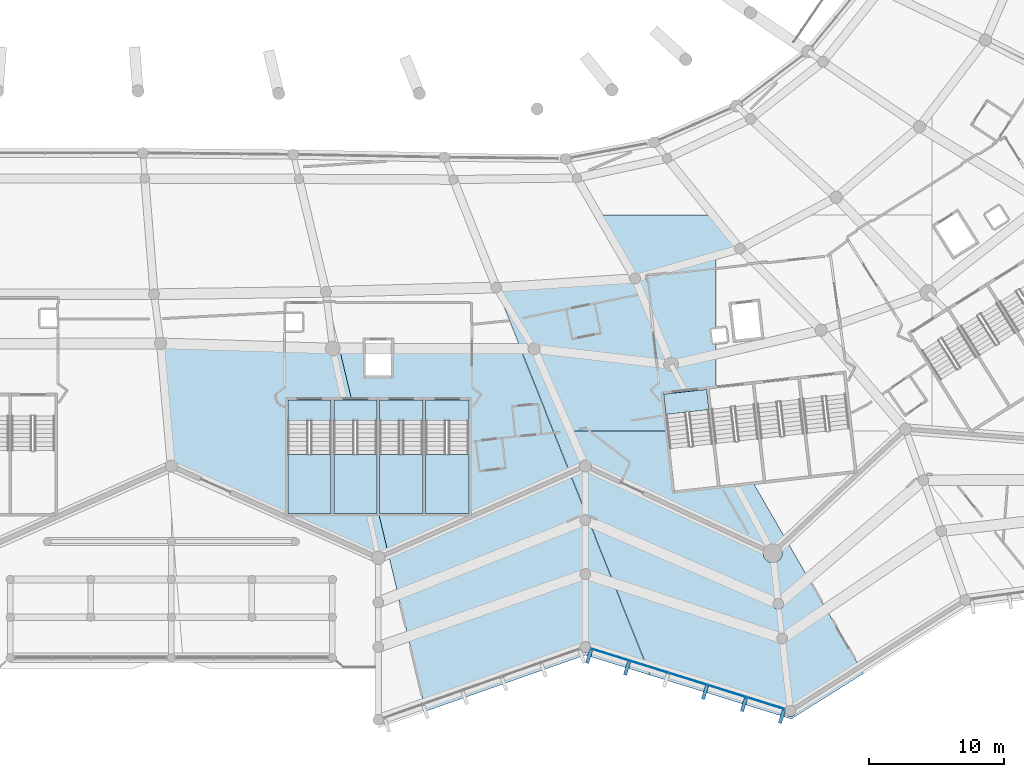
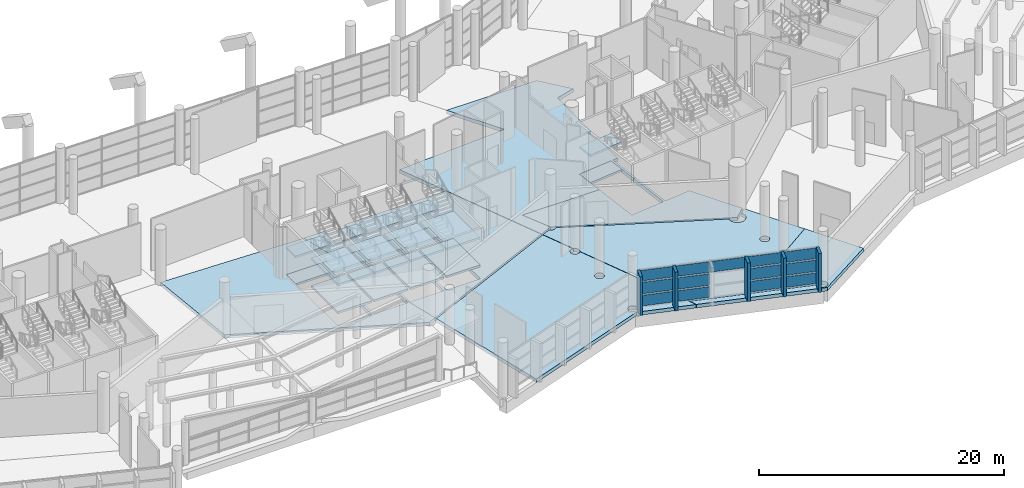
# One storey, part 126 of 271: 25 slabs, 18 plates, 6 elements without a shape of their own.
"""IFC4 building model written with IfcOpenShell, lengths in metres."""

import ifcopenshell
import ifcopenshell.guid

model = None  # the IFC model being written
_history = None  # IfcOwnerHistory: only IFC2X3 demands one
_inside = {}  # id of a spatial element -> (the spatial element, [elements in it])
_under = {}  # id of a project, library or spatial element -> (it, [spatial elements below it])
_declared = {}  # id of a project -> (the project, [libraries it declares])
_typed = {}  # id of a type object -> (the type object, [elements of that type])
_made_of = {}  # id of a material, layer set ... -> (it, [elements and type objects made of it])


def new_model(schema):
    """Start an empty IFC model of exactly this schema.

    Asked for "IFC4X3", IfcOpenShell would pick the latest addendum, in which some entities
    have other attributes; the version numbers below select the first issue.
    IFC2X3 requires an IfcOwnerHistory on every rooted entity: one is made here for all.
    """
    global model, _history
    if schema == "IFC4X3":
        model = ifcopenshell.file(schema_version=(4, 3, 0, 0))
    else:
        model = ifcopenshell.file(schema=schema)
    _inside.clear()
    _under.clear()
    _declared.clear()
    _typed.clear()
    _made_of.clear()
    _history = None
    if model.schema == "IFC2X3":
        org = make("IfcOrganization", Name="unknown")
        user = make(
            "IfcPersonAndOrganization",
            ThePerson=make("IfcPerson", FamilyName="unknown"),
            TheOrganization=org,
        )
        app = make(
            "IfcApplication",
            ApplicationDeveloper=org,
            Version="unknown",
            ApplicationFullName="unknown",
            ApplicationIdentifier="unknown",
        )
        _history = make(
            "IfcOwnerHistory",
            OwningUser=user,
            OwningApplication=app,
            ChangeAction="ADDED",
            CreationDate=0,
        )
    return model


def make(cls, **values):
    """One entity of the class cls with the attributes given. An attribute that is None is left unset."""
    return model.create_entity(
        cls, **{name: value for name, value in values.items() if value is not None}
    )


def rooted(cls, **values):
    """An entity with a GlobalId (a new one), such as an element, a storey or a relation."""
    return make(cls, GlobalId=ifcopenshell.guid.new(), OwnerHistory=_history, **values)


def si_unit(unit_type, name, prefix=None):
    """IfcSIUnit, for example si_unit("LENGTHUNIT", "METRE", prefix="MILLI")."""
    return make("IfcSIUnit", UnitType=unit_type, Prefix=prefix, Name=name)


def assignment(units):
    """IfcUnitAssignment: the units of a project."""
    return None if units is None else make("IfcUnitAssignment", Units=units)


def point(xyz):
    """IfcCartesianPoint."""
    return None if xyz is None else make("IfcCartesianPoint", Coordinates=xyz)


def direction(xyz):
    """IfcDirection."""
    return None if xyz is None else make("IfcDirection", DirectionRatios=xyz)


def frame(location, z_axis=None, x_axis=None):
    """IfcAxis2Placement3D, a coordinate frame: its origin and axes. An axis left out is left unset."""
    return make(
        "IfcAxis2Placement3D",
        Location=point(location),
        Axis=direction(z_axis),
        RefDirection=direction(x_axis),
    )


def frame_2d(location, x_axis=None):
    """IfcAxis2Placement2D, a coordinate frame in the plane: its origin and x axis."""
    return make(
        "IfcAxis2Placement2D", Location=point(location), RefDirection=direction(x_axis)
    )


def origin():
    """The frame at (0, 0, 0) with its axes left unset."""
    return frame((0.0, 0.0, 0.0))


def origin_2d():
    """The frame at (0, 0) in the plane with its x axis left unset."""
    return frame_2d((0.0, 0.0))


def place(relative_to, where):
    """IfcLocalPlacement: puts the frame where relative to a parent placement (None: the world)."""
    return make(
        "IfcLocalPlacement", PlacementRelTo=relative_to, RelativePlacement=where
    )


def context(
    kind, dimensions, precision=None, world=None, true_north=None, identifier=None
):
    """IfcGeometricRepresentationContext, for example the 3D "Model" context."""
    return make(
        "IfcGeometricRepresentationContext",
        ContextIdentifier=identifier,
        ContextType=kind,
        CoordinateSpaceDimension=dimensions,
        Precision=precision,
        WorldCoordinateSystem=world,
        TrueNorth=true_north,
    )


def subcontext(parent, identifier, kind, view, scale=None):
    """IfcGeometricRepresentationSubContext, for example "Body" below "Model"."""
    return make(
        "IfcGeometricRepresentationSubContext",
        ContextIdentifier=identifier,
        ContextType=kind,
        ParentContext=parent,
        TargetScale=scale,
        TargetView=view,
    )


def project(units=None, contexts=None):
    """IfcProject with its units and contexts."""
    return rooted(
        "IfcProject",
        Name="project",
        RepresentationContexts=contexts,
        UnitsInContext=assignment(units),
    )


def spatial(cls, under=None, at=None, **own):
    """A site, building, storey or space (cls), placed at a placement, below another one or the project."""
    s = rooted(cls, ObjectPlacement=at, **own)
    if under is not None:
        _under.setdefault(under.id(), (under, []))[1].append(s)
    return s


def polyline(points):
    """IfcPolyline through the points."""
    return make("IfcPolyline", Points=[point(p) for p in points])


def profile(cls, at=None, kind="AREA", **sizes):
    """A parametric profile (cls). Its sizes go by their IFC names, for example OverallWidth=200.0."""
    return make(cls, ProfileType=kind, Position=at, **sizes)


def rectangle(**sizes):
    """IfcRectangleProfileDef."""
    return profile("IfcRectangleProfileDef", **sizes)


def outline(outer, holes=None, kind="AREA"):
    """IfcArbitraryClosedProfileDef: a profile drawn as a closed curve; with holes, ...WithVoids."""
    if holes is None:
        return make("IfcArbitraryClosedProfileDef", ProfileType=kind, OuterCurve=outer)
    return make(
        "IfcArbitraryProfileDefWithVoids",
        ProfileType=kind,
        OuterCurve=outer,
        InnerCurves=holes,
    )


def extrude(swept, where, along, depth):
    """IfcExtrudedAreaSolid: the profile swept, set in the frame where, extruded along a direction by depth."""
    return make(
        "IfcExtrudedAreaSolid",
        SweptArea=swept,
        Position=where,
        ExtrudedDirection=direction(along),
        Depth=depth,
    )


def shape(context_of_items, identifier, shape_type, items):
    """IfcShapeRepresentation: the items that make up one representation, for example the "Body"."""
    return make(
        "IfcShapeRepresentation",
        ContextOfItems=context_of_items,
        RepresentationIdentifier=identifier,
        RepresentationType=shape_type,
        Items=items,
    )


def material(Name=None, Category=None):
    """IfcMaterial."""
    return make("IfcMaterial", Name=Name, Category=Category)


def layer(
    of_material, thickness, ventilated=None, Name=None, Category=None, Priority=None
):
    """IfcMaterialLayer: one layer of a wall or slab, of a material (None: an air gap)."""
    return make(
        "IfcMaterialLayer",
        Material=of_material,
        LayerThickness=thickness,
        IsVentilated=ventilated,
        Name=Name,
        Category=Category,
        Priority=Priority,
    )


def layer_set(layers, Name=None):
    """IfcMaterialLayerSet."""
    return make("IfcMaterialLayerSet", MaterialLayers=layers, LayerSetName=Name)


def made_of(thing, what):
    """Note that an element or type object is made of a material, layer set ...; save() writes the relation."""
    if what is not None:
        _made_of.setdefault(what.id(), (what, []))[1].append(thing)
    return thing


def type_object(cls, material=None, **own):
    """A type object (cls), such as IfcWallType, which elements share."""
    return made_of(rooted(cls, **own), material)


def element(
    cls,
    number,
    at=None,
    inside=None,
    cuts=None,
    type_object=None,
    material=None,
    context=None,
    identifier="Body",
    shape_type=None,
    held_by="IfcProductDefinitionShape",
    body=None,
    shapes=None,
    **own,
):
    """One element of the class cls, such as IfcWall. Its Tag is "e" and its number.

    at: its placement. inside: the storey or other place that contains it. cuts: it is an
    opening in that element (IfcRelVoidsElement). A single representation is given by context,
    identifier, shape_type and body (its items); several are given by shapes. held_by: the class
    of the entity that holds the representations. save() writes the other relations.
    """
    e = rooted(cls, Tag="e%d" % number, ObjectPlacement=at, **own)
    if body is not None:
        shapes = [shape(context, identifier, shape_type, body)]
    if shapes is not None:
        e.Representation = make(held_by, Representations=shapes)
    if inside is not None:
        _inside.setdefault(inside.id(), (inside, []))[1].append(e)
    if cuts is not None:
        rooted(
            "IfcRelVoidsElement", RelatingBuildingElement=cuts, RelatedOpeningElement=e
        )
    if type_object is not None:
        _typed.setdefault(type_object.id(), (type_object, []))[1].append(e)
    return made_of(e, material)


def aggregate(whole, parts):
    """IfcRelAggregates: a whole, such as a stair, and the parts it consists of."""
    return rooted("IfcRelAggregates", RelatingObject=whole, RelatedObjects=parts)


def save(model, path):
    """Write the relations noted so far, then the file.

    IfcRelAggregates (storeys below a building ...), IfcRelContainedInSpatialStructure (elements
    in a storey), IfcRelDefinesByType, IfcRelAssociatesMaterial and IfcRelDeclares: one each for
    every whole, place, type object, material and project.
    """
    for whole, parts in _under.values():
        aggregate(whole, parts)
    for where, things in _inside.values():
        rooted(
            "IfcRelContainedInSpatialStructure",
            RelatedElements=things,
            RelatingStructure=where,
        )
    for kind, things in _typed.values():
        rooted("IfcRelDefinesByType", RelatedObjects=things, RelatingType=kind)
    for what, things in _made_of.values():
        rooted("IfcRelAssociatesMaterial", RelatedObjects=things, RelatingMaterial=what)
    for by, libraries in _declared.values():
        rooted("IfcRelDeclares", RelatingContext=by, RelatedDefinitions=libraries)
    model.write(path)


model = new_model("IFC4")

# Units and contexts
model_context = context("Model", 3, precision=1e-05, world=origin(), true_north=direction((0.0, 1.0)))
body_context = subcontext(model_context, "Body", "Model", "MODEL_VIEW")
ifc_project = project(units=[si_unit("LENGTHUNIT", "METRE"), si_unit("AREAUNIT", "SQUARE_METRE"), si_unit("VOLUMEUNIT", "CUBIC_METRE"), si_unit("PLANEANGLEUNIT", "RADIAN"), si_unit("MASSUNIT", "GRAM", prefix="KILO")], contexts=[model_context])

# Site, building, storey
site_placement = place(None, origin())
site = spatial("IfcSite", under=ifc_project, at=site_placement, CompositionType="ELEMENT")
building_placement = place(site_placement, origin())
building = spatial("IfcBuilding", under=site, at=building_placement, Name="Meseta Stadium", CompositionType="ELEMENT")
storey_placement = place(building_placement, frame((0.0, 0.0, 6.5)))
storey = spatial("IfcBuildingStorey", under=building, at=storey_placement, Name="L01", CompositionType="ELEMENT", Elevation=6.5)

# Slabs
ifc_material_1 = material(Name="Concrete C40/50", Category="concrete")
ifc_layer_1 = layer(ifc_material_1, 0.35009765625)
ifc_layer_set_1 = layer_set([ifc_layer_1], Name="Floor slab 350")
slab_type_1 = type_object("IfcSlabType", Name="Floor slab 350", PredefinedType="FLOOR", material=ifc_layer_set_1)
slab_1_placement = place(storey_placement, frame((0.0, 0.0, -0.35009765625)))
element("IfcSlab", 1, at=slab_1_placement, inside=storey, type_object=slab_type_1, Name="Floor slab L01 sector 42 panel 14", PredefinedType="FLOOR", context=body_context, shape_type="SweptSolid", body=[
    extrude(outline(polyline([(19.62744140625, -89.90380859375), (6.87060546875, -89.517822265625), (7.666748046875, -98.60009765625), (23.0, -105.39990234375), (23.732177734375, -105.0751953125), (22.89990234375, -101.580078125), (22.89990234375, -102.10009765625), (19.699951171875, -102.10009765625), (19.699951171875, -93.699951171875), (21.023681640625, -93.699951171875), (20.1201171875, -89.904052734375), (19.62744140625, -89.90380859375)]), holes=[polyline([(16.300048828125, -93.699951171875), (19.5, -93.699951171875), (19.5, -102.10009765625), (16.300048828125, -102.10009765625), (16.300048828125, -93.699951171875)])]), origin(), (0.0, 0.0, 1.0), 0.35009765625),
])
slab_2_placement = place(storey_placement, frame((0.0, 0.0, -0.35009765625)))
element("IfcSlab", 2, at=slab_2_placement, inside=storey, type_object=slab_type_1, Name="Floor slab L01 sector 42 panel 16", PredefinedType="FLOOR", context=body_context, shape_type="SweptSolid", body=[
    extrude(outline(polyline([(23.732177734375, -105.0751953125), (37.177001953125, -99.11279296875), (33.525390625, -89.911376953125), (23.949951171875, -89.906005859375), (23.949951171875, -91.89990234375), (22.050048828125, -91.89990234375), (22.050048828125, -89.905029296875), (20.1201171875, -89.904052734375), (21.023681640625, -93.699951171875), (22.89990234375, -93.699951171875), (22.89990234375, -101.580078125), (23.732177734375, -105.0751953125)]), holes=[polyline([(23.10009765625, -93.699951171875), (26.300048828125, -93.699951171875), (26.300048828125, -102.10009765625), (23.10009765625, -102.10009765625), (23.10009765625, -93.699951171875)]), polyline([(26.5, -93.699951171875), (29.699951171875, -93.699951171875), (29.699951171875, -102.10009765625), (26.5, -102.10009765625), (26.5, -93.699951171875)])]), origin(), (0.0, 0.0, 1.0), 0.35009765625),
])
slab_3_placement = place(storey_placement, frame((0.0, 0.0, -0.35009765625)))
element("IfcSlab", 3, at=slab_3_placement, inside=storey, type_object=slab_type_1, Name="Floor slab L01 sector 49 panel 02", PredefinedType="FLOOR", context=body_context, shape_type="SweptSolid", body=[
    extrude(outline(polyline([(47.7744140625, -80.0), (39.29443359375, -80.0), (42.015380859375, -84.707275390625), (31.747314453125, -85.376220703125), (37.1953125, -99.104736328125), (38.333251953125, -98.60009765625), (37.1953125, -96.0), (44.440673828125, -96.0), (44.13427734375, -93.281005859375), (47.314208984375, -92.9228515625), (47.660888671875, -96.0), (47.862060546875, -96.0), (47.5126953125, -92.900390625), (48.0, -92.845458984375), (48.0, -89.459228515625), (47.781982421875, -89.483642578125), (47.669921875, -88.489990234375), (48.0, -88.452880859375), (48.0, -83.007568359375), (49.791015625, -82.498779296875), (47.7744140625, -80.0)])), origin(), (0.0, 0.0, 1.0), 0.35009765625),
])
slab_4_placement = place(storey_placement, frame((0.0, 0.0, -0.35009765625)))
element("IfcSlab", 4, at=slab_4_placement, inside=storey, type_object=slab_type_1, Name="Floor slab L01 sector 49 panel 04", PredefinedType="FLOOR", context=body_context, shape_type="SweptSolid", body=[
    extrude(outline(polyline([(47.660888671875, -96.0), (48.1201171875, -100.077392578125), (44.9404296875, -100.435791015625), (44.440673828125, -96.0), (37.1953125, -96.0), (38.333251953125, -98.60009765625), (52.202880859375, -105.0517578125), (53.224609375, -104.099365234375), (50.72998046875, -99.783447265625), (48.319091796875, -100.05517578125), (47.862060546875, -96.0), (47.660888671875, -96.0)])), origin(), (0.0, 0.0, 1.0), 0.35009765625),
])
slab_5_placement = place(storey_placement, frame((0.0, 0.0, -0.35009765625)))
element("IfcSlab", 5, at=slab_5_placement, inside=storey, type_object=slab_type_1, Name="Ring floor slab L01 7 part 1 panel 02", PredefinedType="FLOOR", context=body_context, shape_type="SweptSolid", body=[
    extrude(outline(polyline([(38.333251953125, -102.196533203125), (38.404296875, -102.205810546875), (37.232421875, -99.25244140625), (23.767578125, -105.2236328125), (26.514892578125, -116.76220703125), (38.333251953125, -112.60009765625), (43.118408203125, -114.085205078125), (38.655029296875, -102.837890625), (38.61865234375, -102.88525390625), (38.53515625, -102.949462890625), (38.437744140625, -102.98974609375), (38.333251953125, -103.00341796875), (38.22900390625, -102.98974609375), (38.131591796875, -102.949462890625), (38.048095703125, -102.88525390625), (37.98388671875, -102.8017578125), (37.943603515625, -102.704345703125), (37.929931640625, -102.60009765625), (37.943603515625, -102.49560546875), (37.98388671875, -102.398193359375), (38.048095703125, -102.314697265625), (38.131591796875, -102.25048828125), (38.22900390625, -102.210205078125), (38.333251953125, -102.196533203125)]), holes=[polyline([(38.6826171875, -111.79833984375), (38.722900390625, -111.8955078125), (38.73681640625, -112.0), (38.722900390625, -112.1044921875), (38.6826171875, -112.20166015625), (38.61865234375, -112.285400390625), (38.53515625, -112.349365234375), (38.437744140625, -112.3896484375), (38.333251953125, -112.403564453125), (38.22900390625, -112.3896484375), (38.131591796875, -112.349365234375), (38.048095703125, -112.285400390625), (37.98388671875, -112.20166015625), (37.943603515625, -112.1044921875), (37.929931640625, -112.0), (37.943603515625, -111.8955078125), (37.98388671875, -111.79833984375), (38.048095703125, -111.714599609375), (38.131591796875, -111.650634765625), (38.22900390625, -111.6103515625), (38.333251953125, -111.596435546875), (38.437744140625, -111.6103515625), (38.53515625, -111.650634765625), (38.61865234375, -111.714599609375), (38.6826171875, -111.79833984375)]), polyline([(38.53515625, -106.25048828125), (38.61865234375, -106.314697265625), (38.6826171875, -106.398193359375), (38.722900390625, -106.49560546875), (38.73681640625, -106.60009765625), (38.722900390625, -106.704345703125), (38.6826171875, -106.8017578125), (38.61865234375, -106.88525390625), (38.53515625, -106.949462890625), (38.437744140625, -106.98974609375), (38.333251953125, -107.00341796875), (38.22900390625, -106.98974609375), (38.131591796875, -106.949462890625), (38.048095703125, -106.88525390625), (37.98388671875, -106.8017578125), (37.943603515625, -106.704345703125), (37.929931640625, -106.60009765625), (37.943603515625, -106.49560546875), (37.98388671875, -106.398193359375), (38.048095703125, -106.314697265625), (38.131591796875, -106.25048828125), (38.22900390625, -106.210205078125), (38.333251953125, -106.196533203125), (38.437744140625, -106.210205078125), (38.53515625, -106.25048828125)])]), origin(), (0.0, 0.0, 1.0), 0.35009765625),
])
slab_6_placement = place(storey_placement, frame((0.0, 0.0, -0.35009765625)))
element("IfcSlab", 6, at=slab_6_placement, inside=storey, type_object=slab_type_1, Name="Ring floor slab L01 7 part 2 panel 01", PredefinedType="FLOOR", context=body_context, shape_type="SweptSolid", body=[
    extrude(outline(polyline([(51.496826171875, -105.0517578125), (51.51708984375, -104.898193359375), (38.65771484375, -98.91650390625), (38.654296875, -98.9208984375), (38.560302734375, -98.9931640625), (38.45068359375, -99.038330078125), (38.333251953125, -99.053955078125), (38.2158203125, -99.038330078125), (38.1064453125, -98.9931640625), (38.012451171875, -98.9208984375), (38.004150390625, -98.91015625), (37.25048828125, -99.244384765625), (38.427001953125, -102.208984375), (38.437744140625, -102.210205078125), (38.53515625, -102.25048828125), (38.61865234375, -102.314697265625), (38.6826171875, -102.398193359375), (38.722900390625, -102.49560546875), (38.73681640625, -102.60009765625), (38.722900390625, -102.704345703125), (38.6826171875, -102.8017578125), (38.669189453125, -102.8193359375), (42.87451171875, -113.4169921875), (53.13623046875, -116.618896484375), (53.170166015625, -116.53662109375), (53.234375, -116.453125), (53.31787109375, -116.388916015625), (53.415283203125, -116.3486328125), (53.474853515625, -116.3408203125), (52.959716796875, -111.77001953125), (52.9150390625, -111.77587890625), (52.810546875, -111.76220703125), (52.71337890625, -111.7216796875), (52.629638671875, -111.65771484375), (52.565673828125, -111.57421875), (52.525390625, -111.476806640625), (52.51171875, -111.372314453125), (52.525390625, -111.267822265625), (52.565673828125, -111.170654296875), (52.629638671875, -111.087158203125), (52.71337890625, -111.02294921875), (52.810546875, -110.982666015625), (52.9150390625, -110.968994140625), (53.019287109375, -110.982666015625), (53.11669921875, -111.02294921875), (53.2001953125, -111.087158203125), (53.247314453125, -111.148193359375), (56.162109375, -109.18115234375), (53.3017578125, -104.232666015625), (52.80908203125, -104.69189453125), (52.814208984375, -104.698486328125), (52.884765625, -104.868896484375), (52.908935546875, -105.0517578125), (52.884765625, -105.234375), (52.814208984375, -105.40478515625), (52.7021484375, -105.55078125), (52.555908203125, -105.6630859375), (52.385498046875, -105.733642578125), (52.202880859375, -105.7578125), (52.02001953125, -105.733642578125), (51.849853515625, -105.6630859375), (51.70361328125, -105.55078125), (51.59130859375, -105.40478515625), (51.520751953125, -105.234375), (51.496826171875, -105.0517578125)]), holes=[polyline([(52.827880859375, -108.458740234375), (52.911376953125, -108.52294921875), (52.9755859375, -108.6064453125), (53.015869140625, -108.703857421875), (53.029541015625, -108.80810546875), (53.015869140625, -108.91259765625), (52.9755859375, -109.010009765625), (52.911376953125, -109.093505859375), (52.827880859375, -109.15771484375), (52.73046875, -109.197998046875), (52.626220703125, -109.211669921875), (52.521728515625, -109.197998046875), (52.42431640625, -109.15771484375), (52.3408203125, -109.093505859375), (52.276611328125, -109.010009765625), (52.236328125, -108.91259765625), (52.22265625, -108.80810546875), (52.236328125, -108.703857421875), (52.276611328125, -108.6064453125), (52.3408203125, -108.52294921875), (52.42431640625, -108.458740234375), (52.521728515625, -108.41845703125), (52.626220703125, -108.40478515625), (52.73046875, -108.41845703125), (52.827880859375, -108.458740234375)])]), origin(), (0.0, 0.0, 1.0), 0.35009765625),
])
slab_7_placement = place(storey_placement, frame((0.0, 0.0, -0.35009765625)))
element("IfcSlab", 7, at=slab_7_placement, inside=storey, type_object=slab_type_1, Name="Ring floor slab L01 7 part 2 panel 02", PredefinedType="FLOOR", context=body_context, shape_type="SweptSolid", body=[
    extrude(outline(polyline([(53.13623046875, -116.618896484375), (42.87451171875, -113.4169921875), (43.142822265625, -114.093017578125), (53.5869140625, -117.334716796875), (58.92919921875, -113.96826171875), (56.162109375, -109.18115234375), (53.247314453125, -111.148193359375), (53.264404296875, -111.170654296875), (53.3046875, -111.267822265625), (53.318603515625, -111.372314453125), (53.3046875, -111.476806640625), (53.264404296875, -111.57421875), (53.2001953125, -111.65771484375), (53.11669921875, -111.7216796875), (53.019287109375, -111.76220703125), (52.959716796875, -111.77001953125), (53.474853515625, -116.3408203125), (53.51953125, -116.3349609375), (53.6240234375, -116.3486328125), (53.72119140625, -116.388916015625), (53.804931640625, -116.453125), (53.868896484375, -116.53662109375), (53.9091796875, -116.634033203125), (53.923095703125, -116.73828125), (53.9091796875, -116.8427734375), (53.868896484375, -116.940185546875), (53.804931640625, -117.023681640625), (53.72119140625, -117.087890625), (53.6240234375, -117.128173828125), (53.51953125, -117.141845703125), (53.415283203125, -117.128173828125), (53.31787109375, -117.087890625), (53.234375, -117.023681640625), (53.170166015625, -116.940185546875), (53.1298828125, -116.8427734375), (53.1162109375, -116.73828125), (53.1298828125, -116.634033203125), (53.13623046875, -116.618896484375)])), origin(), (0.0, 0.0, 1.0), 0.35009765625),
])

# Curtain wall, plates
ifc_material_2 = material(Name="Aluminium", Category="aluminium")
ifc_layer_2 = layer(ifc_material_2, 0.199951171875)
ifc_layer_set_2 = layer_set([ifc_layer_2], Name="Ring shopfront curtain wall")
curtain_wall_type = type_object("IfcCurtainWallType", Name="Ring shopfront curtain wall", PredefinedType="NOTDEFINED", material=ifc_layer_set_2)
curtain_wall_placement = place(storey_placement, origin())
curtain_wall = element("IfcCurtainWall", 8, at=curtain_wall_placement, inside=storey, type_object=curtain_wall_type, Name="Ring glazing L01 F49", PredefinedType="NOTDEFINED")
ifc_material_3 = material(Name="Glass", Category="glass")
ifc_layer_3 = layer(ifc_material_3, 0.035888671875)
ifc_layer_set_3 = layer_set([ifc_layer_3], Name="Ring CW glass panel 36")
plate_type_1 = type_object("IfcPlateType", Name="Ring CW glass panel 36", PredefinedType="CURTAIN_PANEL", material=ifc_layer_set_3)
plate_1_placement = place(storey_placement, frame((40.171875, -112.573486328125, 0.14990234375), z_axis=(0.0, 0.0, 1.0), x_axis=(0.95460920309, -0.297861157885, 0.0)))
plate_1 = element("IfcPlate", 9, at=plate_1_placement, type_object=plate_type_1, Name="CWR1 panel 1.1", PredefinedType="CURTAIN_PANEL", context=body_context, shape_type="SweptSolid", body=[
    extrude(rectangle(XDim=2.931640625, YDim=0.035888671875, at=origin_2d()), origin(), (0.0, 0.0, 1.0), 1.058349609375),
])
plate_2_placement = place(storey_placement, frame((40.171875, -112.573486328125, 1.3583984375), z_axis=(0.0, 0.0, 1.0), x_axis=(0.95460920309, -0.297861157885, 0.0)))
plate_2 = element("IfcPlate", 10, at=plate_2_placement, type_object=plate_type_1, Name="CWR1 panel 1.2", PredefinedType="CURTAIN_PANEL", context=body_context, shape_type="SweptSolid", body=[
    extrude(rectangle(XDim=2.931640625, YDim=0.035888671875, at=origin_2d()), origin(), (0.0, 0.0, 1.0), 1.13330078125),
])
plate_3_placement = place(storey_placement, frame((40.171875, -112.573486328125, 2.6416015625), z_axis=(0.0, 0.0, 1.0), x_axis=(0.95460920309, -0.297861157885, 0.0)))
plate_3 = element("IfcPlate", 11, at=plate_3_placement, type_object=plate_type_1, Name="CWR1 panel 1.3", PredefinedType="CURTAIN_PANEL", context=body_context, shape_type="SweptSolid", body=[
    extrude(rectangle(XDim=2.931640625, YDim=0.035888671875, at=origin_2d()), origin(), (0.0, 0.0, 1.0), 1.058349609375),
])
plate_4_placement = place(storey_placement, frame((43.0419921875, -113.46923828125, 0.14990234375), z_axis=(0.0, 0.0, 1.0), x_axis=(0.95460920309, -0.297861157885, 0.0)))
plate_4 = element("IfcPlate", 12, at=plate_4_placement, type_object=plate_type_1, Name="CWR1 panel 2.1", PredefinedType="CURTAIN_PANEL", context=body_context, shape_type="SweptSolid", body=[
    extrude(rectangle(XDim=2.961669921875, YDim=0.035888671875, at=origin_2d()), origin(), (0.0, 0.0, 1.0), 1.058349609375),
])
plate_5_placement = place(storey_placement, frame((43.0419921875, -113.46923828125, 1.3583984375), z_axis=(0.0, 0.0, 1.0), x_axis=(0.95460920309, -0.297861157885, 0.0)))
plate_5 = element("IfcPlate", 13, at=plate_5_placement, type_object=plate_type_1, Name="CWR1 panel 2.2", PredefinedType="CURTAIN_PANEL", context=body_context, shape_type="SweptSolid", body=[
    extrude(rectangle(XDim=2.961669921875, YDim=0.035888671875, at=origin_2d()), origin(), (0.0, 0.0, 1.0), 1.13330078125),
])
plate_6_placement = place(storey_placement, frame((43.0419921875, -113.46923828125, 2.6416015625), z_axis=(0.0, 0.0, 1.0), x_axis=(0.95460920309, -0.297861157885, 0.0)))
plate_6 = element("IfcPlate", 14, at=plate_6_placement, type_object=plate_type_1, Name="CWR1 panel 2.3", PredefinedType="CURTAIN_PANEL", context=body_context, shape_type="SweptSolid", body=[
    extrude(rectangle(XDim=2.961669921875, YDim=0.035888671875, at=origin_2d()), origin(), (0.0, 0.0, 1.0), 1.058349609375),
])
plate_7_placement = place(storey_placement, frame((45.926513671875, -114.369140625, 2.6416015625), z_axis=(0.0, 0.0, 1.0), x_axis=(0.95460920309, -0.297861157885, 0.0)))
plate_7 = element("IfcPlate", 15, at=plate_7_placement, type_object=plate_type_1, Name="CWR1 panel 3.3", PredefinedType="CURTAIN_PANEL", context=body_context, shape_type="SweptSolid", body=[
    extrude(rectangle(XDim=2.961669921875, YDim=0.035888671875, at=origin_2d()), origin(), (0.0, 0.0, 1.0), 1.058349609375),
])
plate_8_placement = place(storey_placement, frame((48.81103515625, -115.269287109375, 0.14990234375), z_axis=(0.0, 0.0, 1.0), x_axis=(0.95460920309, -0.297861157885, 0.0)))
plate_8 = element("IfcPlate", 16, at=plate_8_placement, type_object=plate_type_1, Name="CWR1 panel 4.1", PredefinedType="CURTAIN_PANEL", context=body_context, shape_type="SweptSolid", body=[
    extrude(rectangle(XDim=2.961669921875, YDim=0.035888671875, at=origin_2d()), origin(), (0.0, 0.0, 1.0), 1.058349609375),
])
plate_9_placement = place(storey_placement, frame((48.81103515625, -115.269287109375, 1.3583984375), z_axis=(0.0, 0.0, 1.0), x_axis=(0.95460920309, -0.297861157885, 0.0)))
plate_9 = element("IfcPlate", 17, at=plate_9_placement, type_object=plate_type_1, Name="CWR1 panel 4.2", PredefinedType="CURTAIN_PANEL", context=body_context, shape_type="SweptSolid", body=[
    extrude(rectangle(XDim=2.961669921875, YDim=0.035888671875, at=origin_2d()), origin(), (0.0, 0.0, 1.0), 1.13330078125),
])
plate_10_placement = place(storey_placement, frame((48.81103515625, -115.269287109375, 2.6416015625), z_axis=(0.0, 0.0, 1.0), x_axis=(0.95460920309, -0.297861157885, 0.0)))
plate_10 = element("IfcPlate", 18, at=plate_10_placement, type_object=plate_type_1, Name="CWR1 panel 4.3", PredefinedType="CURTAIN_PANEL", context=body_context, shape_type="SweptSolid", body=[
    extrude(rectangle(XDim=2.961669921875, YDim=0.035888671875, at=origin_2d()), origin(), (0.0, 0.0, 1.0), 1.058349609375),
])
plate_11_placement = place(storey_placement, frame((51.68115234375, -116.164794921875, 0.14990234375), z_axis=(0.0, 0.0, 1.0), x_axis=(0.95460920309, -0.297861157885, 0.0)))
plate_11 = element("IfcPlate", 19, at=plate_11_placement, type_object=plate_type_1, Name="CWR1 panel 5.1", PredefinedType="CURTAIN_PANEL", context=body_context, shape_type="SweptSolid", body=[
    extrude(rectangle(XDim=2.931640625, YDim=0.035888671875, at=origin_2d()), origin(), (0.0, 0.0, 1.0), 1.058349609375),
])
plate_12_placement = place(storey_placement, frame((51.68115234375, -116.164794921875, 1.3583984375), z_axis=(0.0, 0.0, 1.0), x_axis=(0.95460920309, -0.297861157885, 0.0)))
plate_12 = element("IfcPlate", 20, at=plate_12_placement, type_object=plate_type_1, Name="CWR1 panel 5.2", PredefinedType="CURTAIN_PANEL", context=body_context, shape_type="SweptSolid", body=[
    extrude(rectangle(XDim=2.931640625, YDim=0.035888671875, at=origin_2d()), origin(), (0.0, 0.0, 1.0), 1.13330078125),
])
plate_13_placement = place(storey_placement, frame((51.68115234375, -116.164794921875, 2.6416015625), z_axis=(0.0, 0.0, 1.0), x_axis=(0.95460920309, -0.297861157885, 0.0)))
plate_13 = element("IfcPlate", 21, at=plate_13_placement, type_object=plate_type_1, Name="CWR1 panel 5.3", PredefinedType="CURTAIN_PANEL", context=body_context, shape_type="SweptSolid", body=[
    extrude(rectangle(XDim=2.931640625, YDim=0.035888671875, at=origin_2d()), origin(), (0.0, 0.0, 1.0), 1.058349609375),
])
aggregate(curtain_wall, [plate_1, plate_2, plate_3, plate_4, plate_5, plate_6, plate_7, plate_8, plate_9, plate_10, plate_11, plate_12, plate_13])

# Plates
ifc_material_4 = material(Name="Precast concrete C40/50", Category="concrete")
ifc_layer_4 = layer(ifc_material_4, 0.25)
ifc_layer_set_4 = layer_set([ifc_layer_4], Name="Ring brise-soleil fin 250x1000")
plate_type_2 = type_object("IfcPlateType", Name="Ring brise-soleil fin 250x1000", PredefinedType="USERDEFINED", material=ifc_layer_set_4)
for number, where, z_axis, x_axis, name in (
    (22, (38.608154296875, -112.714111328125, 0.0), (0.0, 0.0, 1.0), (0.954610682122, -0.297856417723, 0.0), "Brise-soleil fin L01 F49.1"),
    (23, (41.4208984375, -113.591796875, 0.0), (0.0, 0.0, 1.0), (0.954610682122, -0.297856417723, 0.0), "Brise-soleil fin L01 F49.2"),
    (24, (47.18994140625, -115.39208984375, 0.0), (0.0, 0.0, 1.0), (0.954610682122, -0.297856417723, 0.0), "Brise-soleil fin L01 F49.4"),
    (25, (50.074462890625, -116.2919921875, 0.0), (0.0, 0.0, 1.0), (0.954610682122, -0.297856417723, 0.0), "Brise-soleil fin L01 F49.5"),
    (26, (52.887451171875, -117.169677734375, 0.0), (0.0, 0.0, 1.0), (0.954610682122, -0.297856417723, 0.0), "Brise-soleil fin L01 F49.6"),
):
    element("IfcPlate", number, at=place(storey_placement, frame(where, z_axis=z_axis, x_axis=x_axis)), inside=storey, type_object=plate_type_2, Name=name, ObjectType="FIN", PredefinedType="USERDEFINED", context=body_context, shape_type="SweptSolid", body=[
        extrude(rectangle(XDim=0.25, YDim=1.0, at=origin_2d()), origin(), (0.0, 0.0, 1.0), 3.85009765625),
    ])

# Stair, slabs
ifc_material_5 = material(Name="Concrete C40/50", Category="concrete")
stair_type = type_object("IfcStairType", Name="Exit stair 4 flights 153 mm risers", PredefinedType="HALF_TURN_STAIR", material=ifc_material_5)
stair_1_placement = place(storey_placement, origin())
stair_1 = element("IfcStair", 27, at=stair_1_placement, inside=storey, type_object=stair_type, Name="ST97 L01", PredefinedType="HALF_TURN_STAIR")
ifc_material_6 = material(Name="Concrete C40/50", Category="concrete")
ifc_layer_5 = layer(ifc_material_6, 0.199951171875)
ifc_layer_set_5 = layer_set([ifc_layer_5], Name="Stair landing 200")
slab_type_2 = type_object("IfcSlabType", Name="Stair landing 200", PredefinedType="LANDING", material=ifc_layer_set_5)
slab_8_placement = place(storey_placement, frame((0.0, 0.0, 1.175048828125)))
slab_8 = element("IfcSlab", 28, at=slab_8_placement, type_object=slab_type_2, Name="ST97 L01 landing 1", PredefinedType="LANDING", context=body_context, shape_type="SweptSolid", body=[
    extrude(outline(polyline([(16.300048828125, -97.75), (16.300048828125, -102.10009765625), (19.5, -102.10009765625), (19.5, -97.75), (16.300048828125, -97.75)])), origin(), (0.0, 0.0, 1.0), 0.199951171875),
])
slab_9_placement = place(storey_placement, frame((0.0, 0.0, 2.550048828125)))
slab_9 = element("IfcSlab", 29, at=slab_9_placement, type_object=slab_type_2, Name="ST97 L01 landing 2", PredefinedType="LANDING", context=body_context, shape_type="SweptSolid", body=[
    extrude(outline(polyline([(16.300048828125, -93.699951171875), (16.300048828125, -95.2099609375), (19.5, -95.2099609375), (19.5, -93.699951171875), (16.300048828125, -93.699951171875)])), origin(), (0.0, 0.0, 1.0), 0.199951171875),
])
slab_10_placement = place(storey_placement, frame((0.0, 0.0, 3.925048828125)))
slab_10 = element("IfcSlab", 30, at=slab_10_placement, type_object=slab_type_2, Name="ST97 L01 landing 3", PredefinedType="LANDING", context=body_context, shape_type="SweptSolid", body=[
    extrude(outline(polyline([(16.300048828125, -97.75), (16.300048828125, -102.10009765625), (19.5, -102.10009765625), (19.5, -97.75), (16.300048828125, -97.75)])), origin(), (0.0, 0.0, 1.0), 0.199951171875),
])
slab_11_placement = place(storey_placement, frame((0.0, 0.0, -0.199951171875)))
slab_11 = element("IfcSlab", 31, at=slab_11_placement, type_object=slab_type_2, Name="ST97 L01 landing 4", PredefinedType="LANDING", context=body_context, shape_type="SweptSolid", body=[
    extrude(outline(polyline([(16.300048828125, -93.699951171875), (16.300048828125, -95.2099609375), (19.5, -95.2099609375), (19.5, -93.699951171875), (16.300048828125, -93.699951171875)])), origin(), (0.0, 0.0, 1.0), 0.199951171875),
])
aggregate(stair_1, [slab_8, slab_9, slab_10, slab_11])

stair_2_placement = place(storey_placement, origin())
stair_2 = element("IfcStair", 32, at=stair_2_placement, inside=storey, type_object=stair_type, Name="ST98 L01", PredefinedType="HALF_TURN_STAIR")
slab_12_placement = place(storey_placement, frame((0.0, 0.0, 1.175048828125)))
slab_12 = element("IfcSlab", 33, at=slab_12_placement, type_object=slab_type_2, Name="ST98 L01 landing 1", PredefinedType="LANDING", context=body_context, shape_type="SweptSolid", body=[
    extrude(outline(polyline([(19.699951171875, -97.75), (19.699951171875, -102.10009765625), (22.89990234375, -102.10009765625), (22.89990234375, -97.75), (19.699951171875, -97.75)])), origin(), (0.0, 0.0, 1.0), 0.199951171875),
])
slab_13_placement = place(storey_placement, frame((0.0, 0.0, 2.550048828125)))
slab_13 = element("IfcSlab", 34, at=slab_13_placement, type_object=slab_type_2, Name="ST98 L01 landing 2", PredefinedType="LANDING", context=body_context, shape_type="SweptSolid", body=[
    extrude(outline(polyline([(19.699951171875, -93.699951171875), (19.699951171875, -95.2099609375), (22.89990234375, -95.2099609375), (22.89990234375, -93.699951171875), (19.699951171875, -93.699951171875)])), origin(), (0.0, 0.0, 1.0), 0.199951171875),
])
slab_14_placement = place(storey_placement, frame((0.0, 0.0, 3.925048828125)))
slab_14 = element("IfcSlab", 35, at=slab_14_placement, type_object=slab_type_2, Name="ST98 L01 landing 3", PredefinedType="LANDING", context=body_context, shape_type="SweptSolid", body=[
    extrude(outline(polyline([(19.699951171875, -97.75), (19.699951171875, -102.10009765625), (22.89990234375, -102.10009765625), (22.89990234375, -97.75), (19.699951171875, -97.75)])), origin(), (0.0, 0.0, 1.0), 0.199951171875),
])
slab_15_placement = place(storey_placement, frame((0.0, 0.0, -0.199951171875)))
slab_15 = element("IfcSlab", 36, at=slab_15_placement, type_object=slab_type_2, Name="ST98 L01 landing 4", PredefinedType="LANDING", context=body_context, shape_type="SweptSolid", body=[
    extrude(outline(polyline([(19.699951171875, -93.699951171875), (19.699951171875, -95.2099609375), (22.89990234375, -95.2099609375), (22.89990234375, -93.699951171875), (19.699951171875, -93.699951171875)])), origin(), (0.0, 0.0, 1.0), 0.199951171875),
])
aggregate(stair_2, [slab_12, slab_13, slab_14, slab_15])

stair_3_placement = place(storey_placement, origin())
stair_3 = element("IfcStair", 37, at=stair_3_placement, inside=storey, type_object=stair_type, Name="ST99 L01", PredefinedType="HALF_TURN_STAIR")
slab_16_placement = place(storey_placement, frame((0.0, 0.0, 1.175048828125)))
slab_16 = element("IfcSlab", 38, at=slab_16_placement, type_object=slab_type_2, Name="ST99 L01 landing 1", PredefinedType="LANDING", context=body_context, shape_type="SweptSolid", body=[
    extrude(outline(polyline([(23.10009765625, -97.75), (23.10009765625, -102.10009765625), (26.300048828125, -102.10009765625), (26.300048828125, -97.75), (23.10009765625, -97.75)])), origin(), (0.0, 0.0, 1.0), 0.199951171875),
])
slab_17_placement = place(storey_placement, frame((0.0, 0.0, 2.550048828125)))
slab_17 = element("IfcSlab", 39, at=slab_17_placement, type_object=slab_type_2, Name="ST99 L01 landing 2", PredefinedType="LANDING", context=body_context, shape_type="SweptSolid", body=[
    extrude(outline(polyline([(23.10009765625, -93.699951171875), (23.10009765625, -95.2099609375), (26.300048828125, -95.2099609375), (26.300048828125, -93.699951171875), (23.10009765625, -93.699951171875)])), origin(), (0.0, 0.0, 1.0), 0.199951171875),
])
slab_18_placement = place(storey_placement, frame((0.0, 0.0, 3.925048828125)))
slab_18 = element("IfcSlab", 40, at=slab_18_placement, type_object=slab_type_2, Name="ST99 L01 landing 3", PredefinedType="LANDING", context=body_context, shape_type="SweptSolid", body=[
    extrude(outline(polyline([(23.10009765625, -97.75), (23.10009765625, -102.10009765625), (26.300048828125, -102.10009765625), (26.300048828125, -97.75), (23.10009765625, -97.75)])), origin(), (0.0, 0.0, 1.0), 0.199951171875),
])
slab_19_placement = place(storey_placement, frame((0.0, 0.0, -0.199951171875)))
slab_19 = element("IfcSlab", 41, at=slab_19_placement, type_object=slab_type_2, Name="ST99 L01 landing 4", PredefinedType="LANDING", context=body_context, shape_type="SweptSolid", body=[
    extrude(outline(polyline([(23.10009765625, -93.699951171875), (23.10009765625, -95.2099609375), (26.300048828125, -95.2099609375), (26.300048828125, -93.699951171875), (23.10009765625, -93.699951171875)])), origin(), (0.0, 0.0, 1.0), 0.199951171875),
])
aggregate(stair_3, [slab_16, slab_17, slab_18, slab_19])

stair_4_placement = place(storey_placement, origin())
stair_4 = element("IfcStair", 42, at=stair_4_placement, inside=storey, type_object=stair_type, Name="ST100 L01", PredefinedType="HALF_TURN_STAIR")
slab_20_placement = place(storey_placement, frame((0.0, 0.0, 1.175048828125)))
slab_20 = element("IfcSlab", 43, at=slab_20_placement, type_object=slab_type_2, Name="ST100 L01 landing 1", PredefinedType="LANDING", context=body_context, shape_type="SweptSolid", body=[
    extrude(outline(polyline([(26.5, -97.75), (26.5, -102.10009765625), (29.699951171875, -102.10009765625), (29.699951171875, -97.75), (26.5, -97.75)])), origin(), (0.0, 0.0, 1.0), 0.199951171875),
])
slab_21_placement = place(storey_placement, frame((0.0, 0.0, 2.550048828125)))
slab_21 = element("IfcSlab", 44, at=slab_21_placement, type_object=slab_type_2, Name="ST100 L01 landing 2", PredefinedType="LANDING", context=body_context, shape_type="SweptSolid", body=[
    extrude(outline(polyline([(26.5, -93.699951171875), (26.5, -95.2099609375), (29.699951171875, -95.2099609375), (29.699951171875, -93.699951171875), (26.5, -93.699951171875)])), origin(), (0.0, 0.0, 1.0), 0.199951171875),
])
slab_22_placement = place(storey_placement, frame((0.0, 0.0, 3.925048828125)))
slab_22 = element("IfcSlab", 45, at=slab_22_placement, type_object=slab_type_2, Name="ST100 L01 landing 3", PredefinedType="LANDING", context=body_context, shape_type="SweptSolid", body=[
    extrude(outline(polyline([(26.5, -97.75), (26.5, -102.10009765625), (29.699951171875, -102.10009765625), (29.699951171875, -97.75), (26.5, -97.75)])), origin(), (0.0, 0.0, 1.0), 0.199951171875),
])
slab_23_placement = place(storey_placement, frame((0.0, 0.0, -0.199951171875)))
slab_23 = element("IfcSlab", 46, at=slab_23_placement, type_object=slab_type_2, Name="ST100 L01 landing 4", PredefinedType="LANDING", context=body_context, shape_type="SweptSolid", body=[
    extrude(outline(polyline([(26.5, -93.699951171875), (26.5, -95.2099609375), (29.699951171875, -95.2099609375), (29.699951171875, -93.699951171875), (26.5, -93.699951171875)])), origin(), (0.0, 0.0, 1.0), 0.199951171875),
])
aggregate(stair_4, [slab_20, slab_21, slab_22, slab_23])

stair_5_placement = place(storey_placement, origin())
stair_5 = element("IfcStair", 47, at=stair_5_placement, inside=storey, type_object=stair_type, Name="ST101 L01", PredefinedType="HALF_TURN_STAIR")
slab_24_placement = place(storey_placement, frame((0.0, 0.0, 2.550048828125)))
slab_24 = element("IfcSlab", 48, at=slab_24_placement, type_object=slab_type_2, Name="ST101 L01 landing 2", PredefinedType="LANDING", context=body_context, shape_type="SweptSolid", body=[
    extrude(outline(polyline([(44.13427734375, -93.281005859375), (44.30322265625, -94.781494140625), (47.483154296875, -94.42333984375), (47.314208984375, -92.9228515625), (44.13427734375, -93.281005859375)])), origin(), (0.0, 0.0, 1.0), 0.199951171875),
])
slab_25_placement = place(storey_placement, frame((0.0, 0.0, -0.199951171875)))
slab_25 = element("IfcSlab", 49, at=slab_25_placement, type_object=slab_type_2, Name="ST101 L01 landing 4", PredefinedType="LANDING", context=body_context, shape_type="SweptSolid", body=[
    extrude(outline(polyline([(44.13427734375, -93.281005859375), (44.30322265625, -94.781494140625), (47.483154296875, -94.42333984375), (47.314208984375, -92.9228515625), (44.13427734375, -93.281005859375)])), origin(), (0.0, 0.0, 1.0), 0.199951171875),
])
aggregate(stair_5, [slab_24, slab_25])

save(model, "model.ifc")
